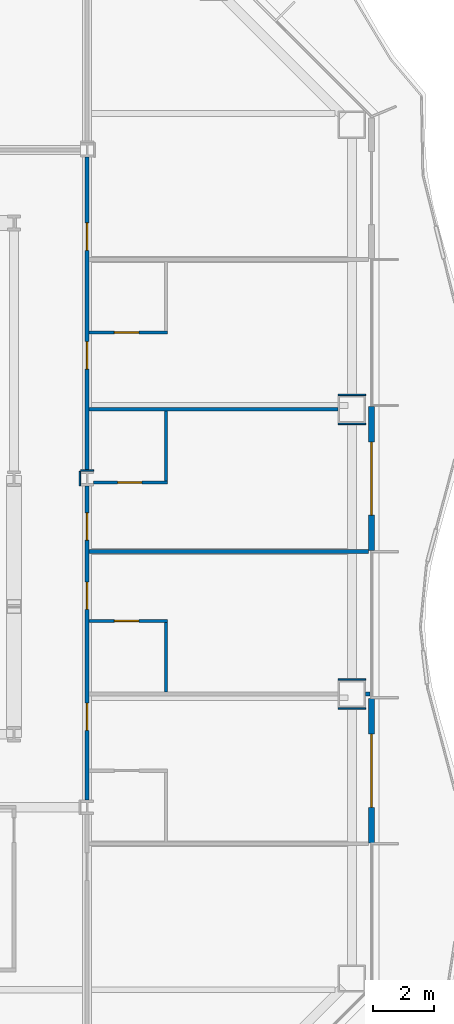
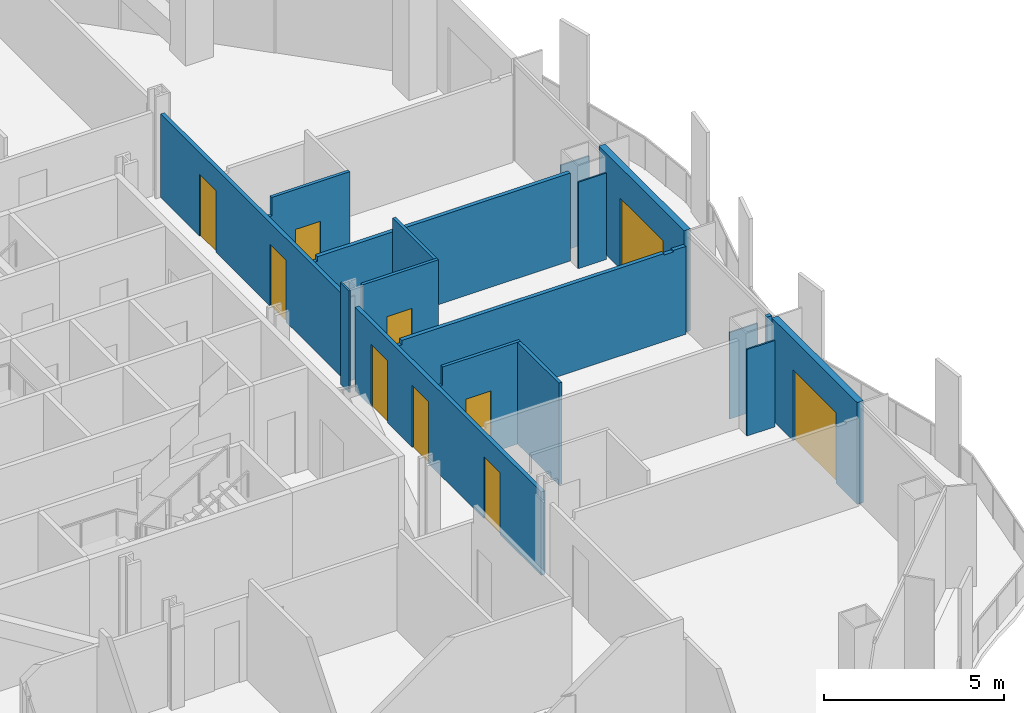
# One storey, part 11 of 18: 18 walls, 10 doors, 10 openings.
"""IFC4 building model written with IfcOpenShell, lengths in metres."""

from ifc_helpers import new_model, si_unit, direction, frame, frame_2d, origin, place, context, subcontext, project, spatial, polyline, rectangle, outline, extrude, material, layer, layer_set, type_object, element, fill, save


model = new_model("IFC4")

# Units and contexts
model_context = context("Model", 3, precision=1e-05, world=origin(), true_north=direction((0.0, 1.0)))
body_context = subcontext(model_context, "Body", "Model", "MODEL_VIEW")
ifc_project = project(units=[si_unit("LENGTHUNIT", "METRE"), si_unit("AREAUNIT", "SQUARE_METRE"), si_unit("VOLUMEUNIT", "CUBIC_METRE"), si_unit("PLANEANGLEUNIT", "RADIAN"), si_unit("MASSUNIT", "GRAM", prefix="KILO")], contexts=[model_context])

# Site, building, storey
site_placement = place(None, origin())
site = spatial("IfcSite", under=ifc_project, at=site_placement, CompositionType="ELEMENT")
building_placement = place(site_placement, origin())
building = spatial("IfcBuilding", under=site, at=building_placement, Name="Cairn Pilgrim Tower", CompositionType="ELEMENT")
storey_placement = place(building_placement, frame((0.0, 0.0, 65.39990234375)))
storey = spatial("IfcBuildingStorey", under=building, at=storey_placement, Name="L14", CompositionType="ELEMENT", Elevation=65.39990234375)

# Wall, opening, door
ifc_material_1 = material(Name="Bronze anodised aluminium insulated sandwich panel with mineral wool fill", Category="aluminium")
ifc_layer_1 = layer(ifc_material_1, 0.199951171875)
ifc_layer_set_1 = layer_set([ifc_layer_1], Name="BRONZE INFILL FRAME WALL 200")
wall_type_1 = type_object("IfcWallType", Name="BRONZE INFILL FRAME WALL 200", PredefinedType="NOTDEFINED", material=ifc_layer_set_1)
wall_1_placement = place(storey_placement, frame((28.550048828125, -9.570068359375, 0.0), z_axis=(0.0, 0.0, 1.0), x_axis=(0.0, 1.0, 0.0)))
wall_1 = element("IfcWall", 1, at=wall_1_placement, inside=storey, type_object=wall_type_1, Name="Bronze infill frame wall IW-E2", PredefinedType="NOTDEFINED", context=body_context, shape_type="SweptSolid", body=[
    extrude(rectangle(XDim=4.739990234375, YDim=0.199951171875, at=frame_2d((2.3701171875, 0.0))), origin(), (0.0, 0.0, 1.0), 3.4501953125),
])
opening_1_placement = place(wall_1_placement, frame((1.169921875, 0.0, 0.0)))
opening_1 = element("IfcOpeningElement", 2, at=opening_1_placement, cuts=wall_1, Name="Opening 1424B", PredefinedType="OPENING", context=body_context, shape_type="SweptSolid", body=[
    extrude(rectangle(XDim=2.39990234375, YDim=2.39990234375, at=frame_2d((1.199951171875, 1.199951171875))), frame((0.0, 0.10986328125, 0.0), z_axis=(0.0, -1.0, 0.0), x_axis=(1.0, 0.0, 0.0)), (0.0, 0.0, 1.0), 0.219970703125),
])
ifc_material_2 = material(Name="Bronze anodised aluminium frame with tinted low-E glass", Category="aluminium")
door_type_1 = type_object("IfcDoorType", Name="BALCONY SLIDING DOOR 2400x2400", OperationType="DOUBLE_DOOR_SLIDING", PredefinedType="DOOR", material=ifc_material_2)
door_1_placement = place(opening_1_placement, origin())
door_1 = element("IfcDoor", 3, at=door_1_placement, inside=storey, type_object=door_type_1, Name="Balcony sliding door 1424B", OperationType="SINGLE_SWING_LEFT", OverallHeight=2.39990234375, OverallWidth=2.39990234375, PredefinedType="DOOR", context=body_context, shape_type="SweptSolid", body=[
    extrude(rectangle(XDim=2.39990234375, YDim=2.39990234375, at=frame_2d((1.199951171875, 1.199951171875))), frame((0.0, 0.02490234375, 0.0), z_axis=(0.0, -1.0, 0.0), x_axis=(1.0, 0.0, 0.0)), (0.0, 0.0, 1.0), 0.050048828125),
])
fill(opening_1, door_1)

wall_2_placement = place(storey_placement, frame((28.550048828125, 0.030029296875, 0.0), z_axis=(0.0, 0.0, 1.0), x_axis=(0.0, 1.0, 0.0)))
wall_2 = element("IfcWall", 4, at=wall_2_placement, inside=storey, type_object=wall_type_1, Name="Bronze infill frame wall IW-E4", PredefinedType="NOTDEFINED", context=body_context, shape_type="SweptSolid", body=[
    extrude(rectangle(XDim=4.739990234375, YDim=0.199951171875, at=frame_2d((2.3701171875, 0.0))), origin(), (0.0, 0.0, 1.0), 3.4501953125),
])
opening_2_placement = place(wall_2_placement, frame((1.169921875, 0.0, 0.0)))
opening_2 = element("IfcOpeningElement", 5, at=opening_2_placement, cuts=wall_2, Name="Opening 1426B", PredefinedType="OPENING", context=body_context, shape_type="SweptSolid", body=[
    extrude(rectangle(XDim=2.39990234375, YDim=2.39990234375, at=frame_2d((1.199951171875, 1.199951171875))), frame((0.0, 0.10986328125, 0.0), z_axis=(0.0, -1.0, 0.0), x_axis=(1.0, 0.0, 0.0)), (0.0, 0.0, 1.0), 0.219970703125),
])
door_2_placement = place(opening_2_placement, origin())
door_2 = element("IfcDoor", 6, at=door_2_placement, inside=storey, type_object=door_type_1, Name="Balcony sliding door 1426B", OperationType="SINGLE_SWING_LEFT", OverallHeight=2.39990234375, OverallWidth=2.39990234375, PredefinedType="DOOR", context=body_context, shape_type="SweptSolid", body=[
    extrude(rectangle(XDim=2.39990234375, YDim=2.39990234375, at=frame_2d((1.199951171875, 1.199951171875))), frame((0.0, 0.02490234375, 0.0), z_axis=(0.0, -1.0, 0.0), x_axis=(1.0, 0.0, 0.0)), (0.0, 0.0, 1.0), 0.050048828125),
])
fill(opening_2, door_2)

# Wall
ifc_material_3 = material(Name="Gypsum partition")
ifc_layer_2 = layer(ifc_material_3, 0.10009765625)
ifc_layer_set_2 = layer_set([ifc_layer_2], Name="PARTITION 100 DRYWALL")
wall_type_2 = type_object("IfcWallType", Name="PARTITION 100 DRYWALL", PredefinedType="PARTITIONING", material=ifc_layer_set_2)
wall_3_placement = place(storey_placement, frame((21.800048828125, -4.613525390625, 0.0), z_axis=(0.0, 0.0, 1.0), x_axis=(0.0, 1.0, 0.0)))
element("IfcWall", 7, at=wall_3_placement, inside=storey, type_object=wall_type_2, Name="PARTITION W041", PredefinedType="PARTITIONING", context=body_context, shape_type="SweptSolid", body=[
    extrude(rectangle(XDim=2.28759765625, YDim=0.10009765625, at=frame_2d((1.143798828125, 0.0))), origin(), (0.0, 0.0, 1.0), 3.4501953125),
])

# Wall, opening, door
wall_4_placement = place(storey_placement, frame((19.262451171875, -2.27587890625, 0.0), z_axis=(0.0, 0.0, 1.0), x_axis=(1.0, 0.0, 0.0)))
wall_4 = element("IfcWall", 8, at=wall_4_placement, inside=storey, type_object=wall_type_2, Name="PARTITION W042", PredefinedType="PARTITIONING", context=body_context, shape_type="SweptSolid", body=[
    extrude(outline(polyline([(0.0, 0.0), (2.587646484375, 0.0), (2.58740234375, 3.4501953125), (0.08740234375, 3.4501953125), (0.08544921875, 2.830078125), (0.0, 2.830078125), (0.0, 0.0)])), frame((0.0, 0.050048828125, 0.0), z_axis=(0.0, -1.0, 0.0), x_axis=(1.0, 0.0, 0.0)), (0.0, 0.0, 1.0), 0.10009765625),
])
opening_3_placement = place(wall_4_placement, frame((0.83740234375, 0.0, 0.0)))
opening_3 = element("IfcOpeningElement", 9, at=opening_3_placement, cuts=wall_4, Name="Opening 1425E", PredefinedType="OPENING", context=body_context, shape_type="SweptSolid", body=[
    extrude(rectangle(XDim=0.800048828125, YDim=2.10009765625, at=frame_2d((0.39990234375, 1.050048828125))), frame((0.0, 0.06005859375, 0.0), z_axis=(0.0, -1.0, 0.0), x_axis=(1.0, 0.0, 0.0)), (0.0, 0.0, 1.0), 0.1201171875),
])
ifc_material_4 = material(Name="Timber door leaf", Category="wood")
door_type_2 = type_object("IfcDoorType", Name="DOOR 800x2100", OperationType="NOTDEFINED", PredefinedType="DOOR", material=ifc_material_4)
door_3_placement = place(opening_3_placement, frame((0.800048828125, 0.0, 0.0), z_axis=(0.0, 0.0, 1.0), x_axis=(-1.0, 0.0, 0.0)))
door_3 = element("IfcDoor", 10, at=door_3_placement, inside=storey, type_object=door_type_2, Name="DOOR 1425E", OperationType="SINGLE_SWING_RIGHT", OverallHeight=2.10009765625, OverallWidth=0.800048828125, PredefinedType="DOOR", context=body_context, shape_type="SweptSolid", body=[
    extrude(rectangle(XDim=0.800048828125, YDim=2.10009765625, at=frame_2d((0.39990234375, 1.050048828125))), frame((0.0, 0.02490234375, 0.0), z_axis=(0.0, -1.0, 0.0), x_axis=(1.0, 0.0, 0.0)), (0.0, 0.0, 1.0), 0.050048828125),
])
fill(opening_3, door_3)

wall_5_placement = place(storey_placement, frame((19.412109375, 2.27587890625, 0.0), z_axis=(0.0, 0.0, 1.0), x_axis=(1.0, 0.0, 0.0)))
wall_5 = element("IfcWall", 11, at=wall_5_placement, inside=storey, type_object=wall_type_2, Name="PARTITION W047", PredefinedType="PARTITIONING", context=body_context, shape_type="SweptSolid", body=[
    extrude(rectangle(XDim=2.43798828125, YDim=0.10009765625, at=frame_2d((1.218994140625, 0.0))), origin(), (0.0, 0.0, 1.0), 3.4501953125),
])
opening_4_placement = place(wall_5_placement, frame((0.7880859375, 0.0, 0.0)))
opening_4 = element("IfcOpeningElement", 12, at=opening_4_placement, cuts=wall_5, Name="Opening 1426E", PredefinedType="OPENING", context=body_context, shape_type="SweptSolid", body=[
    extrude(rectangle(XDim=0.800048828125, YDim=2.10009765625, at=frame_2d((0.39990234375, 1.050048828125))), frame((0.0, 0.06005859375, 0.0), z_axis=(0.0, -1.0, 0.0), x_axis=(1.0, 0.0, 0.0)), (0.0, 0.0, 1.0), 0.1201171875),
])
door_4_placement = place(opening_4_placement, origin())
door_4 = element("IfcDoor", 13, at=door_4_placement, inside=storey, type_object=door_type_2, Name="DOOR 1426E", OperationType="SINGLE_SWING_RIGHT", OverallHeight=2.10009765625, OverallWidth=0.800048828125, PredefinedType="DOOR", context=body_context, shape_type="SweptSolid", body=[
    extrude(rectangle(XDim=0.800048828125, YDim=2.10009765625, at=frame_2d((0.39990234375, 1.050048828125))), frame((0.0, 0.02490234375, 0.0), z_axis=(0.0, -1.0, 0.0), x_axis=(1.0, 0.0, 0.0)), (0.0, 0.0, 1.0), 0.050048828125),
])
fill(opening_4, door_4)

# Wall
wall_6_placement = place(storey_placement, frame((21.800048828125, 2.325927734375, 0.0), z_axis=(0.0, 0.0, 1.0), x_axis=(0.0, 1.0, 0.0)))
element("IfcWall", 14, at=wall_6_placement, inside=storey, type_object=wall_type_2, Name="PARTITION W048", PredefinedType="PARTITIONING", context=body_context, shape_type="SweptSolid", body=[
    extrude(rectangle(XDim=2.28759765625, YDim=0.10009765625, at=frame_2d((1.143798828125, 0.0))), origin(), (0.0, 0.0, 1.0), 3.4501953125),
])

# Wall, opening, door
wall_7_placement = place(storey_placement, frame((19.262451171875, 7.199951171875, 0.0), z_axis=(0.0, 0.0, 1.0), x_axis=(1.0, 0.0, 0.0)))
wall_7 = element("IfcWall", 15, at=wall_7_placement, inside=storey, type_object=wall_type_2, Name="PARTITION W057", PredefinedType="PARTITIONING", context=body_context, shape_type="SweptSolid", body=[
    extrude(outline(polyline([(0.0, 0.0), (2.587646484375, 0.0), (2.58740234375, 3.4501953125), (0.08740234375, 3.4501953125), (0.08544921875, 2.830078125), (0.0, 2.830078125), (0.0, 0.0)])), frame((0.0, 0.050048828125, 0.0), z_axis=(0.0, -1.0, 0.0), x_axis=(1.0, 0.0, 0.0)), (0.0, 0.0, 1.0), 0.10009765625),
])
opening_5_placement = place(wall_7_placement, frame((0.83740234375, 0.0, 0.0)))
opening_5 = element("IfcOpeningElement", 16, at=opening_5_placement, cuts=wall_7, Name="Opening 1427E", PredefinedType="OPENING", context=body_context, shape_type="SweptSolid", body=[
    extrude(rectangle(XDim=0.800048828125, YDim=2.10009765625, at=frame_2d((0.39990234375, 1.050048828125))), frame((0.0, 0.06005859375, 0.0), z_axis=(0.0, -1.0, 0.0), x_axis=(1.0, 0.0, 0.0)), (0.0, 0.0, 1.0), 0.1201171875),
])
door_5_placement = place(opening_5_placement, origin())
door_5 = element("IfcDoor", 17, at=door_5_placement, inside=storey, type_object=door_type_2, Name="DOOR 1427E", OperationType="SINGLE_SWING_RIGHT", OverallHeight=2.10009765625, OverallWidth=0.800048828125, PredefinedType="DOOR", context=body_context, shape_type="SweptSolid", body=[
    extrude(rectangle(XDim=0.800048828125, YDim=2.10009765625, at=frame_2d((0.39990234375, 1.050048828125))), frame((0.0, 0.02490234375, 0.0), z_axis=(0.0, -1.0, 0.0), x_axis=(1.0, 0.0, 0.0)), (0.0, 0.0, 1.0), 0.050048828125),
])
fill(opening_5, door_5)

# Wall, openings, doors
ifc_layer_3 = layer(ifc_material_3, 0.125)
ifc_layer_set_3 = layer_set([ifc_layer_3], Name="PARTITION 125 DRYWALL EI 60")
wall_type_3 = type_object("IfcWallType", Name="PARTITION 125 DRYWALL EI 60", PredefinedType="PARTITIONING", material=ifc_layer_set_3)
wall_8_placement = place(storey_placement, frame((19.199951171875, -8.1630859375, 0.0), z_axis=(0.0, 0.0, 1.0), x_axis=(0.0, 1.0, 0.0)))
wall_8 = element("IfcWall", 18, at=wall_8_placement, inside=storey, type_object=wall_type_3, Name="PARTITION W034", PredefinedType="PARTITIONING", context=body_context, shape_type="SweptSolid", body=[
    extrude(rectangle(XDim=10.326171875, YDim=0.125, at=frame_2d((5.1630859375, 0.0))), origin(), (0.0, 0.0, 1.0), 2.830078125),
])
opening_6_placement = place(wall_8_placement, frame((2.287109375, 0.0, 0.0)))
opening_6 = element("IfcOpeningElement", 19, at=opening_6_placement, cuts=wall_8, Name="Opening 1424", PredefinedType="OPENING", context=body_context, shape_type="SweptSolid", body=[
    extrude(rectangle(XDim=0.89990234375, YDim=2.10009765625, at=frame_2d((0.449951171875, 1.050048828125))), frame((0.0, 0.072509765625, 0.0), z_axis=(0.0, -1.0, 0.0), x_axis=(1.0, 0.0, 0.0)), (0.0, 0.0, 1.0), 0.14501953125),
])
opening_7_placement = place(wall_8_placement, frame((6.262939453125, 0.0, 0.0)))
opening_7 = element("IfcOpeningElement", 20, at=opening_7_placement, cuts=wall_8, Name="Opening 1425", PredefinedType="OPENING", context=body_context, shape_type="SweptSolid", body=[
    extrude(rectangle(XDim=0.89990234375, YDim=2.10009765625, at=frame_2d((0.449951171875, 1.050048828125))), frame((0.0, 0.072509765625, 0.0), z_axis=(0.0, -1.0, 0.0), x_axis=(1.0, 0.0, 0.0)), (0.0, 0.0, 1.0), 0.14501953125),
])
opening_8_placement = place(wall_8_placement, frame((8.5390625, 0.0, 0.0)))
opening_8 = element("IfcOpeningElement", 21, at=opening_8_placement, cuts=wall_8, Name="Opening 1426", PredefinedType="OPENING", context=body_context, shape_type="SweptSolid", body=[
    extrude(rectangle(XDim=0.89990234375, YDim=2.10009765625, at=frame_2d((0.449951171875, 1.050048828125))), frame((0.0, 0.072509765625, 0.0), z_axis=(0.0, -1.0, 0.0), x_axis=(1.0, 0.0, 0.0)), (0.0, 0.0, 1.0), 0.14501953125),
])
ifc_material_5 = material(Name="Steel-faced fire door leaf", Category="steel")
door_type_3 = type_object("IfcDoorType", Name="FIRE DOOR 900x2100 FD30S", OperationType="NOTDEFINED", PredefinedType="DOOR", material=ifc_material_5)
door_6_placement = place(opening_6_placement, frame((0.89990234375, 0.0, 0.0), z_axis=(0.0, 0.0, 1.0), x_axis=(-1.0, 0.0, 0.0)))
door_6 = element("IfcDoor", 22, at=door_6_placement, inside=storey, type_object=door_type_3, Name="DOOR 1424", OperationType="SINGLE_SWING_LEFT", OverallHeight=2.10009765625, OverallWidth=0.89990234375, PredefinedType="DOOR", context=body_context, shape_type="SweptSolid", body=[
    extrude(rectangle(XDim=0.89990234375, YDim=2.10009765625, at=frame_2d((0.449951171875, 1.050048828125))), frame((0.0, 0.02490234375, 0.0), z_axis=(0.0, -1.0, 0.0), x_axis=(1.0, 0.0, 0.0)), (0.0, 0.0, 1.0), 0.050048828125),
])
fill(opening_6, door_6)
door_7_placement = place(opening_7_placement, frame((0.89990234375, 0.0, 0.0), z_axis=(0.0, 0.0, 1.0), x_axis=(-1.0, 0.0, 0.0)))
door_7 = element("IfcDoor", 23, at=door_7_placement, inside=storey, type_object=door_type_3, Name="DOOR 1425", OperationType="SINGLE_SWING_LEFT", OverallHeight=2.10009765625, OverallWidth=0.89990234375, PredefinedType="DOOR", context=body_context, shape_type="SweptSolid", body=[
    extrude(rectangle(XDim=0.89990234375, YDim=2.10009765625, at=frame_2d((0.449951171875, 1.050048828125))), frame((0.0, 0.02490234375, 0.0), z_axis=(0.0, -1.0, 0.0), x_axis=(1.0, 0.0, 0.0)), (0.0, 0.0, 1.0), 0.050048828125),
])
fill(opening_7, door_7)
door_8_placement = place(opening_8_placement, frame((0.89990234375, 0.0, 0.0), z_axis=(0.0, 0.0, 1.0), x_axis=(-1.0, 0.0, 0.0)))
door_8 = element("IfcDoor", 24, at=door_8_placement, inside=storey, type_object=door_type_3, Name="DOOR 1426", OperationType="SINGLE_SWING_LEFT", OverallHeight=2.10009765625, OverallWidth=0.89990234375, PredefinedType="DOOR", context=body_context, shape_type="SweptSolid", body=[
    extrude(rectangle(XDim=0.89990234375, YDim=2.10009765625, at=frame_2d((0.449951171875, 1.050048828125))), frame((0.0, 0.02490234375, 0.0), z_axis=(0.0, -1.0, 0.0), x_axis=(1.0, 0.0, 0.0)), (0.0, 0.0, 1.0), 0.050048828125),
])
fill(opening_8, door_8)

# Walls
wall_9_placement = place(storey_placement, frame((28.35009765625, -4.676025390625, 0.0), z_axis=(0.0, 0.0, 1.0), x_axis=(1.0, 0.0, 0.0)))
element("IfcWall", 25, at=wall_9_placement, inside=storey, type_object=wall_type_3, Name="PARTITION W040", PredefinedType="PARTITIONING", context=body_context, shape_type="SweptSolid", body=[
    extrude(rectangle(XDim=0.15283203125, YDim=0.125, at=frame_2d((0.076416015625, 0.0))), origin(), (0.0, 0.0, 1.0), 3.4501953125),
])
wall_10_placement = place(storey_placement, frame((19.262451171875, 0.0, 0.0), z_axis=(0.0, 0.0, 1.0), x_axis=(1.0, 0.0, 0.0)))
element("IfcWall", 26, at=wall_10_placement, inside=storey, type_object=wall_type_3, Name="PARTITION W046", PredefinedType="PARTITIONING", context=body_context, shape_type="SweptSolid", body=[
    extrude(outline(polyline([(0.0, 0.0), (9.1875, 0.0), (9.1875, 2.97998046875), (8.78759765625, 2.97998046875), (8.785400390625, 2.93017578125), (8.487548828125, 2.93017578125), (8.485595703125, 2.97998046875), (0.08740234375, 2.97998046875), (0.08544921875, 2.830078125), (0.0, 2.830078125), (0.0, 0.0)])), frame((0.0, 0.0625, 0.0), z_axis=(0.0, -1.0, 0.0), x_axis=(1.0, 0.0, 0.0)), (0.0, 0.0, 1.0), 0.125),
])

# Wall, openings, doors
wall_11_placement = place(storey_placement, frame((19.199951171875, 2.636962890625, 0.0), z_axis=(0.0, 0.0, 1.0), x_axis=(0.0, 1.0, 0.0)))
wall_11 = element("IfcWall", 27, at=wall_11_placement, inside=storey, type_object=wall_type_3, Name="PARTITION W053", PredefinedType="PARTITIONING", context=body_context, shape_type="SweptSolid", body=[
    extrude(rectangle(XDim=10.325927734375, YDim=0.125, at=frame_2d((5.1630859375, 0.0))), origin(), (0.0, 0.0, 1.0), 2.830078125),
])
opening_9_placement = place(wall_11_placement, frame((3.363037109375, 0.0, 0.0)))
opening_9 = element("IfcOpeningElement", 28, at=opening_9_placement, cuts=wall_11, Name="Opening 1427", PredefinedType="OPENING", context=body_context, shape_type="SweptSolid", body=[
    extrude(rectangle(XDim=0.89990234375, YDim=2.10009765625, at=frame_2d((0.449951171875, 1.050048828125))), frame((0.0, 0.072509765625, 0.0), z_axis=(0.0, -1.0, 0.0), x_axis=(1.0, 0.0, 0.0)), (0.0, 0.0, 1.0), 0.14501953125),
])
opening_10_placement = place(wall_11_placement, frame((7.262939453125, 0.0, 0.0)))
opening_10 = element("IfcOpeningElement", 29, at=opening_10_placement, cuts=wall_11, Name="Opening 1428", PredefinedType="OPENING", context=body_context, shape_type="SweptSolid", body=[
    extrude(rectangle(XDim=0.89990234375, YDim=2.10009765625, at=frame_2d((0.449951171875, 1.050048828125))), frame((0.0, 0.072509765625, 0.0), z_axis=(0.0, -1.0, 0.0), x_axis=(1.0, 0.0, 0.0)), (0.0, 0.0, 1.0), 0.14501953125),
])
door_9_placement = place(opening_9_placement, frame((0.89990234375, 0.0, 0.0), z_axis=(0.0, 0.0, 1.0), x_axis=(-1.0, 0.0, 0.0)))
door_9 = element("IfcDoor", 30, at=door_9_placement, inside=storey, type_object=door_type_3, Name="DOOR 1427", OperationType="SINGLE_SWING_LEFT", OverallHeight=2.10009765625, OverallWidth=0.89990234375, PredefinedType="DOOR", context=body_context, shape_type="SweptSolid", body=[
    extrude(rectangle(XDim=0.89990234375, YDim=2.10009765625, at=frame_2d((0.449951171875, 1.050048828125))), frame((0.0, 0.02490234375, 0.0), z_axis=(0.0, -1.0, 0.0), x_axis=(1.0, 0.0, 0.0)), (0.0, 0.0, 1.0), 0.050048828125),
])
fill(opening_9, door_9)
door_10_placement = place(opening_10_placement, frame((0.89990234375, 0.0, 0.0), z_axis=(0.0, 0.0, 1.0), x_axis=(-1.0, 0.0, 0.0)))
door_10 = element("IfcDoor", 31, at=door_10_placement, inside=storey, type_object=door_type_3, Name="DOOR 1428", OperationType="SINGLE_SWING_LEFT", OverallHeight=2.10009765625, OverallWidth=0.89990234375, PredefinedType="DOOR", context=body_context, shape_type="SweptSolid", body=[
    extrude(rectangle(XDim=0.89990234375, YDim=2.10009765625, at=frame_2d((0.449951171875, 1.050048828125))), frame((0.0, 0.02490234375, 0.0), z_axis=(0.0, -1.0, 0.0), x_axis=(1.0, 0.0, 0.0)), (0.0, 0.0, 1.0), 0.050048828125),
])
fill(opening_10, door_10)

# Walls
wall_12_placement = place(storey_placement, frame((19.262451171875, 4.676025390625, 0.0), z_axis=(0.0, 0.0, 1.0), x_axis=(1.0, 0.0, 0.0)))
element("IfcWall", 32, at=wall_12_placement, inside=storey, type_object=wall_type_3, Name="PARTITION W055", PredefinedType="PARTITIONING", context=body_context, shape_type="SweptSolid", body=[
    extrude(outline(polyline([(0.0, 0.0), (8.1875, 0.0), (8.1875, 2.97998046875), (0.08740234375, 2.97998046875), (0.08544921875, 2.830078125), (0.0, 2.830078125), (0.0, 0.0)])), frame((0.0, 0.0625, 0.0), z_axis=(0.0, -1.0, 0.0), x_axis=(1.0, 0.0, 0.0)), (0.0, 0.0, 1.0), 0.125),
])
ifc_layer_4 = layer(ifc_material_3, 0.050048828125)
ifc_layer_set_4 = layer_set([ifc_layer_4], Name="PARTITION 50 DRYWALL")
wall_type_4 = type_object("IfcWallType", Name="PARTITION 50 DRYWALL", PredefinedType="PARTITIONING", material=ifc_layer_set_4)
wall_13_placement = place(storey_placement, frame((18.988037109375, 2.662109375, 0.0), z_axis=(0.0, 0.0, 1.0), x_axis=(1.0, 0.0, 0.0)))
element("IfcWall", 33, at=wall_13_placement, inside=storey, type_object=wall_type_4, Name="COLUMN CASING WC22", PredefinedType="PARTITIONING", context=body_context, shape_type="SweptSolid", body=[
    extrude(rectangle(XDim=0.424072265625, YDim=0.050048828125, at=frame_2d((0.2119140625, 0.0))), origin(), (0.0, 0.0, 1.0), 2.830078125),
])
ifc_layer_5 = layer(ifc_material_3, 0.050048828125)
ifc_layer_set_5 = layer_set([ifc_layer_5], Name="PARTITION 50 DRYWALL EI 60")
wall_type_5 = type_object("IfcWallType", Name="PARTITION 50 DRYWALL EI 60", PredefinedType="PARTITIONING", material=ifc_layer_set_5)
wall_14_placement = place(storey_placement, frame((18.962890625, 2.1630859375, 0.0), z_axis=(0.0, 0.0, 1.0), x_axis=(0.0, 1.0, 0.0)))
element("IfcWall", 34, at=wall_14_placement, inside=storey, type_object=wall_type_5, Name="COLUMN CASING WC10", PredefinedType="PARTITIONING", context=body_context, shape_type="SweptSolid", body=[
    extrude(rectangle(XDim=0.473876953125, YDim=0.050048828125, at=frame_2d((0.23681640625, 0.0))), origin(), (0.0, 0.0, 1.0), 3.4501953125),
])
for number, where, z_axis, x_axis, name in (
    (35, (27.449951171875, -4.20068359375, 0.0), (0.0, 0.0, 1.0), (1.0, 0.0, 0.0), "COLUMN CASING WC19"),
    (36, (27.449951171875, -5.150634765625, 0.0), (0.0, 0.0, 1.0), (1.0, 0.0, 0.0), "COLUMN CASING WC20"),
    (37, (27.449951171875, 5.150634765625, 0.0), (0.0, 0.0, 1.0), (1.0, 0.0, 0.0), "COLUMN CASING WC28"),
    (38, (27.449951171875, 4.20068359375, 0.0), (0.0, 0.0, 1.0), (1.0, 0.0, 0.0), "COLUMN CASING WC29"),
):
    element("IfcWall", number, at=place(storey_placement, frame(where, z_axis=z_axis, x_axis=x_axis)), inside=storey, type_object=wall_type_5, Name=name, PredefinedType="PARTITIONING", context=body_context, shape_type="SweptSolid", body=[
        extrude(rectangle(XDim=0.900146484375, YDim=0.050048828125, at=frame_2d((0.4501953125, 0.0))), origin(), (0.0, 0.0, 1.0), 2.93017578125),
    ])

save(model, "model.ifc")
